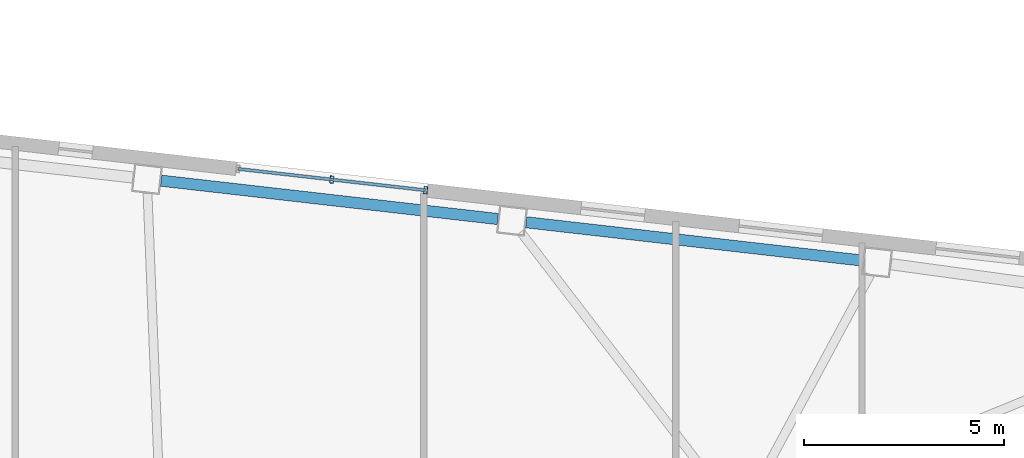
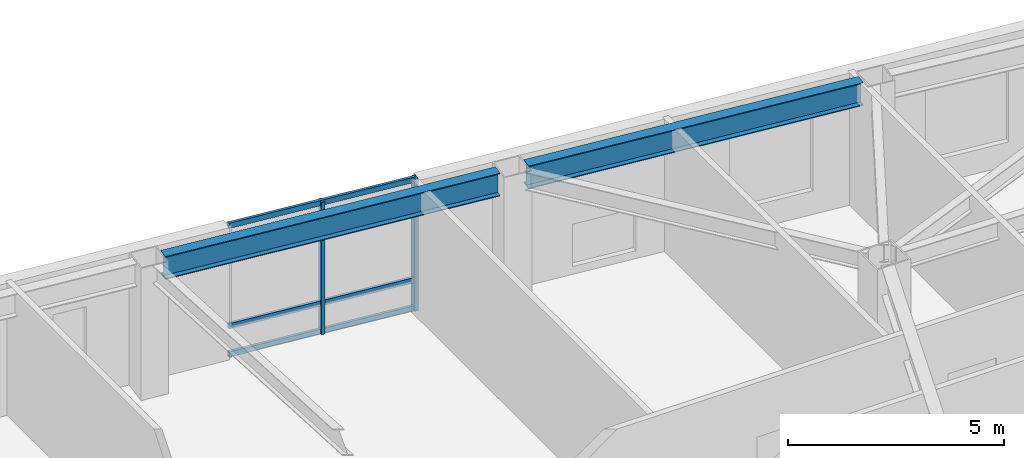
# One storey, part 9 of 20: 5 members, 2 beams, 1 element without a shape of its own.
"""IFC4 building model written with IfcOpenShell, lengths in metres."""

import ifcopenshell
import ifcopenshell.guid

model = None  # the IFC model being written
_history = None  # IfcOwnerHistory: only IFC2X3 demands one
_inside = {}  # id of a spatial element -> (the spatial element, [elements in it])
_under = {}  # id of a project, library or spatial element -> (it, [spatial elements below it])
_declared = {}  # id of a project -> (the project, [libraries it declares])
_typed = {}  # id of a type object -> (the type object, [elements of that type])
_made_of = {}  # id of a material, layer set ... -> (it, [elements and type objects made of it])


def new_model(schema):
    """Start an empty IFC model of exactly this schema.

    Asked for "IFC4X3", IfcOpenShell would pick the latest addendum, in which some entities
    have other attributes; the version numbers below select the first issue.
    IFC2X3 requires an IfcOwnerHistory on every rooted entity: one is made here for all.
    """
    global model, _history
    if schema == "IFC4X3":
        model = ifcopenshell.file(schema_version=(4, 3, 0, 0))
    else:
        model = ifcopenshell.file(schema=schema)
    _inside.clear()
    _under.clear()
    _declared.clear()
    _typed.clear()
    _made_of.clear()
    _history = None
    if model.schema == "IFC2X3":
        org = make("IfcOrganization", Name="unknown")
        user = make(
            "IfcPersonAndOrganization",
            ThePerson=make("IfcPerson", FamilyName="unknown"),
            TheOrganization=org,
        )
        app = make(
            "IfcApplication",
            ApplicationDeveloper=org,
            Version="unknown",
            ApplicationFullName="unknown",
            ApplicationIdentifier="unknown",
        )
        _history = make(
            "IfcOwnerHistory",
            OwningUser=user,
            OwningApplication=app,
            ChangeAction="ADDED",
            CreationDate=0,
        )
    return model


def make(cls, **values):
    """One entity of the class cls with the attributes given. An attribute that is None is left unset."""
    return model.create_entity(
        cls, **{name: value for name, value in values.items() if value is not None}
    )


def rooted(cls, **values):
    """An entity with a GlobalId (a new one), such as an element, a storey or a relation."""
    return make(cls, GlobalId=ifcopenshell.guid.new(), OwnerHistory=_history, **values)


def si_unit(unit_type, name, prefix=None):
    """IfcSIUnit, for example si_unit("LENGTHUNIT", "METRE", prefix="MILLI")."""
    return make("IfcSIUnit", UnitType=unit_type, Prefix=prefix, Name=name)


def assignment(units):
    """IfcUnitAssignment: the units of a project."""
    return None if units is None else make("IfcUnitAssignment", Units=units)


def point(xyz):
    """IfcCartesianPoint."""
    return None if xyz is None else make("IfcCartesianPoint", Coordinates=xyz)


def direction(xyz):
    """IfcDirection."""
    return None if xyz is None else make("IfcDirection", DirectionRatios=xyz)


def frame(location, z_axis=None, x_axis=None):
    """IfcAxis2Placement3D, a coordinate frame: its origin and axes. An axis left out is left unset."""
    return make(
        "IfcAxis2Placement3D",
        Location=point(location),
        Axis=direction(z_axis),
        RefDirection=direction(x_axis),
    )


def frame_2d(location, x_axis=None):
    """IfcAxis2Placement2D, a coordinate frame in the plane: its origin and x axis."""
    return make(
        "IfcAxis2Placement2D", Location=point(location), RefDirection=direction(x_axis)
    )


def origin():
    """The frame at (0, 0, 0) with its axes left unset."""
    return frame((0.0, 0.0, 0.0))


def origin_2d():
    """The frame at (0, 0) in the plane with its x axis left unset."""
    return frame_2d((0.0, 0.0))


def place(relative_to, where):
    """IfcLocalPlacement: puts the frame where relative to a parent placement (None: the world)."""
    return make(
        "IfcLocalPlacement", PlacementRelTo=relative_to, RelativePlacement=where
    )


def context(
    kind, dimensions, precision=None, world=None, true_north=None, identifier=None
):
    """IfcGeometricRepresentationContext, for example the 3D "Model" context."""
    return make(
        "IfcGeometricRepresentationContext",
        ContextIdentifier=identifier,
        ContextType=kind,
        CoordinateSpaceDimension=dimensions,
        Precision=precision,
        WorldCoordinateSystem=world,
        TrueNorth=true_north,
    )


def subcontext(parent, identifier, kind, view, scale=None):
    """IfcGeometricRepresentationSubContext, for example "Body" below "Model"."""
    return make(
        "IfcGeometricRepresentationSubContext",
        ContextIdentifier=identifier,
        ContextType=kind,
        ParentContext=parent,
        TargetScale=scale,
        TargetView=view,
    )


def project(units=None, contexts=None):
    """IfcProject with its units and contexts."""
    return rooted(
        "IfcProject",
        Name="project",
        RepresentationContexts=contexts,
        UnitsInContext=assignment(units),
    )


def spatial(cls, under=None, at=None, **own):
    """A site, building, storey or space (cls), placed at a placement, below another one or the project."""
    s = rooted(cls, ObjectPlacement=at, **own)
    if under is not None:
        _under.setdefault(under.id(), (under, []))[1].append(s)
    return s


def profile(cls, at=None, kind="AREA", **sizes):
    """A parametric profile (cls). Its sizes go by their IFC names, for example OverallWidth=200.0."""
    return make(cls, ProfileType=kind, Position=at, **sizes)


def hollow_rectangle(**sizes):
    """IfcRectangleHollowProfileDef."""
    return profile("IfcRectangleHollowProfileDef", **sizes)


def i_section(**sizes):
    """IfcIShapeProfileDef."""
    return profile("IfcIShapeProfileDef", **sizes)


def extrude(swept, where, along, depth):
    """IfcExtrudedAreaSolid: the profile swept, set in the frame where, extruded along a direction by depth."""
    return make(
        "IfcExtrudedAreaSolid",
        SweptArea=swept,
        Position=where,
        ExtrudedDirection=direction(along),
        Depth=depth,
    )


def shape(context_of_items, identifier, shape_type, items):
    """IfcShapeRepresentation: the items that make up one representation, for example the "Body"."""
    return make(
        "IfcShapeRepresentation",
        ContextOfItems=context_of_items,
        RepresentationIdentifier=identifier,
        RepresentationType=shape_type,
        Items=items,
    )


def material(Name=None, Category=None):
    """IfcMaterial."""
    return make("IfcMaterial", Name=Name, Category=Category)


def layer(
    of_material, thickness, ventilated=None, Name=None, Category=None, Priority=None
):
    """IfcMaterialLayer: one layer of a wall or slab, of a material (None: an air gap)."""
    return make(
        "IfcMaterialLayer",
        Material=of_material,
        LayerThickness=thickness,
        IsVentilated=ventilated,
        Name=Name,
        Category=Category,
        Priority=Priority,
    )


def layer_set(layers, Name=None):
    """IfcMaterialLayerSet."""
    return make("IfcMaterialLayerSet", MaterialLayers=layers, LayerSetName=Name)


def material_profile(
    of_material, cross_section, Name=None, Category=None, Priority=None
):
    """IfcMaterialProfile: a cross section and its material."""
    return make(
        "IfcMaterialProfile",
        Name=Name,
        Material=of_material,
        Profile=cross_section,
        Priority=Priority,
        Category=Category,
    )


def profile_set(profiles, Name=None, composite=None):
    """IfcMaterialProfileSet."""
    return make(
        "IfcMaterialProfileSet",
        Name=Name,
        MaterialProfiles=profiles,
        CompositeProfile=composite,
    )


def made_of(thing, what):
    """Note that an element or type object is made of a material, layer set ...; save() writes the relation."""
    if what is not None:
        _made_of.setdefault(what.id(), (what, []))[1].append(thing)
    return thing


def type_object(cls, material=None, **own):
    """A type object (cls), such as IfcWallType, which elements share."""
    return made_of(rooted(cls, **own), material)


def element(
    cls,
    number,
    at=None,
    inside=None,
    cuts=None,
    type_object=None,
    material=None,
    context=None,
    identifier="Body",
    shape_type=None,
    held_by="IfcProductDefinitionShape",
    body=None,
    shapes=None,
    **own,
):
    """One element of the class cls, such as IfcWall. Its Tag is "e" and its number.

    at: its placement. inside: the storey or other place that contains it. cuts: it is an
    opening in that element (IfcRelVoidsElement). A single representation is given by context,
    identifier, shape_type and body (its items); several are given by shapes. held_by: the class
    of the entity that holds the representations. save() writes the other relations.
    """
    e = rooted(cls, Tag="e%d" % number, ObjectPlacement=at, **own)
    if body is not None:
        shapes = [shape(context, identifier, shape_type, body)]
    if shapes is not None:
        e.Representation = make(held_by, Representations=shapes)
    if inside is not None:
        _inside.setdefault(inside.id(), (inside, []))[1].append(e)
    if cuts is not None:
        rooted(
            "IfcRelVoidsElement", RelatingBuildingElement=cuts, RelatedOpeningElement=e
        )
    if type_object is not None:
        _typed.setdefault(type_object.id(), (type_object, []))[1].append(e)
    return made_of(e, material)


def aggregate(whole, parts):
    """IfcRelAggregates: a whole, such as a stair, and the parts it consists of."""
    return rooted("IfcRelAggregates", RelatingObject=whole, RelatedObjects=parts)


def save(model, path):
    """Write the relations noted so far, then the file.

    IfcRelAggregates (storeys below a building ...), IfcRelContainedInSpatialStructure (elements
    in a storey), IfcRelDefinesByType, IfcRelAssociatesMaterial and IfcRelDeclares: one each for
    every whole, place, type object, material and project.
    """
    for whole, parts in _under.values():
        aggregate(whole, parts)
    for where, things in _inside.values():
        rooted(
            "IfcRelContainedInSpatialStructure",
            RelatedElements=things,
            RelatingStructure=where,
        )
    for kind, things in _typed.values():
        rooted("IfcRelDefinesByType", RelatedObjects=things, RelatingType=kind)
    for what, things in _made_of.values():
        rooted("IfcRelAssociatesMaterial", RelatedObjects=things, RelatingMaterial=what)
    for by, libraries in _declared.values():
        rooted("IfcRelDeclares", RelatingContext=by, RelatedDefinitions=libraries)
    model.write(path)


model = new_model("IFC4")

# Units and contexts
model_context = context("Model", 3, precision=1e-05, world=origin(), true_north=direction((0.0, 1.0)))
body_context = subcontext(model_context, "Body", "Model", "MODEL_VIEW")
ifc_project = project(units=[si_unit("LENGTHUNIT", "METRE"), si_unit("AREAUNIT", "SQUARE_METRE"), si_unit("VOLUMEUNIT", "CUBIC_METRE"), si_unit("PLANEANGLEUNIT", "RADIAN"), si_unit("MASSUNIT", "GRAM", prefix="KILO")], contexts=[model_context])

# Site, building, storey
site_placement = place(None, origin())
site = spatial("IfcSite", under=ifc_project, at=site_placement, CompositionType="ELEMENT")
building_placement = place(site_placement, origin())
building = spatial("IfcBuilding", under=site, at=building_placement, Name="Tavrogorsk Clinical Tower", CompositionType="ELEMENT")
storey_placement = place(building_placement, frame((0.0, 0.0, 105.39990234375)))
storey = spatial("IfcBuildingStorey", under=building, at=storey_placement, Name="L23", CompositionType="ELEMENT", Elevation=105.39990234375)

# Curtain wall, members
ifc_material_1 = material(Name="Anodised aluminium and triple IGU glazing", Category="aluminium")
ifc_layer = layer(ifc_material_1, 0.179931640625)
ifc_layer_set = layer_set([ifc_layer], Name="Anodised aluminium and triple IGU glazing")
curtain_wall_type = type_object("IfcCurtainWallType", Name="CW2_NorthSlot", PredefinedType="NOTDEFINED", material=ifc_layer_set)
curtain_wall_placement = place(storey_placement, origin())
curtain_wall = element("IfcCurtainWall", 1, at=curtain_wall_placement, inside=storey, type_object=curtain_wall_type, Name="L23 Curtain Wall CW-L23-N-SLOT-2", PredefinedType="NOTDEFINED")
ifc_material_2 = material(Name="Anodised aluminium alloy AW-6060", Category="aluminium")
ifc_material_profile_1 = material_profile(ifc_material_2, hollow_rectangle(XDim=0.090087890625, YDim=0.179931640625, WallThickness=0.00634765625, at=origin_2d()), Name="RHS-180x90x6.3")
ifc_profile_set_1 = profile_set([ifc_material_profile_1], Name="Anodised aluminium alloy AW-6060")
member_type_1 = type_object("IfcMemberType", Name="CwMullion_180x90", PredefinedType="MULLION", material=ifc_profile_set_1)
member_1_placement = place(storey_placement, frame((16.650146484375, 21.36572265625, 0.0), z_axis=(0.0, 0.0, 1.0), x_axis=(-0.993571855603, 0.11320321441, 0.0)))
member_1 = element("IfcMember", 2, at=member_1_placement, type_object=member_type_1, Name="CW-L23-N-SLOT-2 Mullion 1", PredefinedType="MULLION", context=body_context, shape_type="SweptSolid", body=[
    extrude(hollow_rectangle(XDim=0.090087890625, YDim=0.179931640625, WallThickness=0.00634765625, at=origin_2d()), origin(), (0.0, 0.0, 1.0), 3.739990234375),
])
member_2_placement = place(storey_placement, frame((14.306396484375, 21.6328125, 0.0), z_axis=(0.0, 0.0, 1.0), x_axis=(-0.993571855603, 0.11320321441, 0.0)))
member_2 = element("IfcMember", 3, at=member_2_placement, type_object=member_type_1, Name="CW-L23-N-SLOT-2 Mullion 2", PredefinedType="MULLION", context=body_context, shape_type="SweptSolid", body=[
    extrude(hollow_rectangle(XDim=0.090087890625, YDim=0.179931640625, WallThickness=0.00634765625, at=origin_2d()), origin(), (0.0, 0.0, 1.0), 3.739990234375),
])
ifc_material_3 = material(Name="Anodised aluminium alloy AW-6060", Category="aluminium")
ifc_material_profile_2 = material_profile(ifc_material_3, hollow_rectangle(XDim=0.074951171875, YDim=0.14990234375, WallThickness=0.0048828125, at=origin_2d()), Name="RHS-150x75x5")
ifc_profile_set_2 = profile_set([ifc_material_profile_2], Name="Anodised aluminium alloy AW-6060")
member_type_2 = type_object("IfcMemberType", Name="CwTransom_150x75", PredefinedType="USERDEFINED", material=ifc_profile_set_2)
member_3_placement = place(storey_placement, frame((16.650146484375, 21.36572265625, 0.050048828125), z_axis=(-0.993569315854, 0.113225503286, 0.0), x_axis=(-0.113225503286, -0.993569315854, 0.0)))
member_3 = element("IfcMember", 4, at=member_3_placement, type_object=member_type_2, Name="CW-L23-N-SLOT-2 Transom 1", ObjectType="TRANSOM", PredefinedType="USERDEFINED", context=body_context, shape_type="SweptSolid", body=[
    extrude(hollow_rectangle(XDim=0.074951171875, YDim=0.14990234375, WallThickness=0.0048828125, at=origin_2d()), origin(), (0.0, 0.0, 1.0), 4.7177734375),
])
member_4_placement = place(storey_placement, frame((16.650146484375, 21.36572265625, 0.85009765625), z_axis=(-0.993569315854, 0.113225503286, 0.0), x_axis=(-0.113225503286, -0.993569315854, 0.0)))
member_4 = element("IfcMember", 5, at=member_4_placement, type_object=member_type_2, Name="CW-L23-N-SLOT-2 Transom 2", ObjectType="TRANSOM", PredefinedType="USERDEFINED", context=body_context, shape_type="SweptSolid", body=[
    extrude(hollow_rectangle(XDim=0.074951171875, YDim=0.14990234375, WallThickness=0.0048828125, at=origin_2d()), origin(), (0.0, 0.0, 1.0), 4.7177734375),
])
member_5_placement = place(storey_placement, frame((16.650146484375, 21.36572265625, 3.690185546875), z_axis=(-0.993569315854, 0.113225503286, 0.0), x_axis=(-0.113225503286, -0.993569315854, 0.0)))
member_5 = element("IfcMember", 6, at=member_5_placement, type_object=member_type_2, Name="CW-L23-N-SLOT-2 Transom 3", ObjectType="TRANSOM", PredefinedType="USERDEFINED", context=body_context, shape_type="SweptSolid", body=[
    extrude(hollow_rectangle(XDim=0.074951171875, YDim=0.14990234375, WallThickness=0.0048828125, at=origin_2d()), origin(), (0.0, 0.0, 1.0), 4.7177734375),
])
aggregate(curtain_wall, [member_1, member_2, member_3, member_4, member_5])

# Beams
ifc_material_4 = material(Name="Structural steel S390", Category="steel")
ifc_material_profile_3 = material_profile(ifc_material_4, i_section(OverallWidth=0.280029296875, OverallDepth=0.64990234375, WebThickness=0.01611328125, FlangeThickness=0.02490234375, at=origin_2d()), Name="B-650x280x16x25")
ifc_profile_set_3 = profile_set([ifc_material_profile_3], Name="Structural steel S390")
beam_type = type_object("IfcBeamType", Name="SpandrelBeam_B650", PredefinedType="SPANDREL", material=ifc_profile_set_3)
beam_1_placement = place(storey_placement, frame((27.5703125, 19.608154296875, 3.4150390625), z_axis=(-0.993569819641, 0.113221082395, 0.0), x_axis=(-0.113221082395, -0.993569819641, 0.0)))
element("IfcBeam", 7, at=beam_1_placement, inside=storey, type_object=beam_type, Name="L23 Perimeter Spandrel N2-N3", PredefinedType="SPANDREL", context=body_context, shape_type="SweptSolid", body=[
    extrude(i_section(OverallWidth=0.280029296875, OverallDepth=0.64990234375, WebThickness=0.01611328125, FlangeThickness=0.02490234375, at=origin_2d()), origin(), (0.0, 0.0, 1.0), 8.46142578125),
])
beam_2_placement = place(storey_placement, frame((18.451904296875, 20.647216796875, 3.4150390625), z_axis=(-0.99357232562, 0.113199089054, 0.0), x_axis=(-0.113199089054, -0.99357232562, 0.0)))
element("IfcBeam", 8, at=beam_2_placement, inside=storey, type_object=beam_type, Name="L23 Perimeter Spandrel N3-N4", PredefinedType="SPANDREL", context=body_context, shape_type="SweptSolid", body=[
    extrude(i_section(OverallWidth=0.280029296875, OverallDepth=0.64990234375, WebThickness=0.01611328125, FlangeThickness=0.02490234375, at=origin_2d()), origin(), (0.0, 0.0, 1.0), 8.4609375),
])

save(model, "model.ifc")
